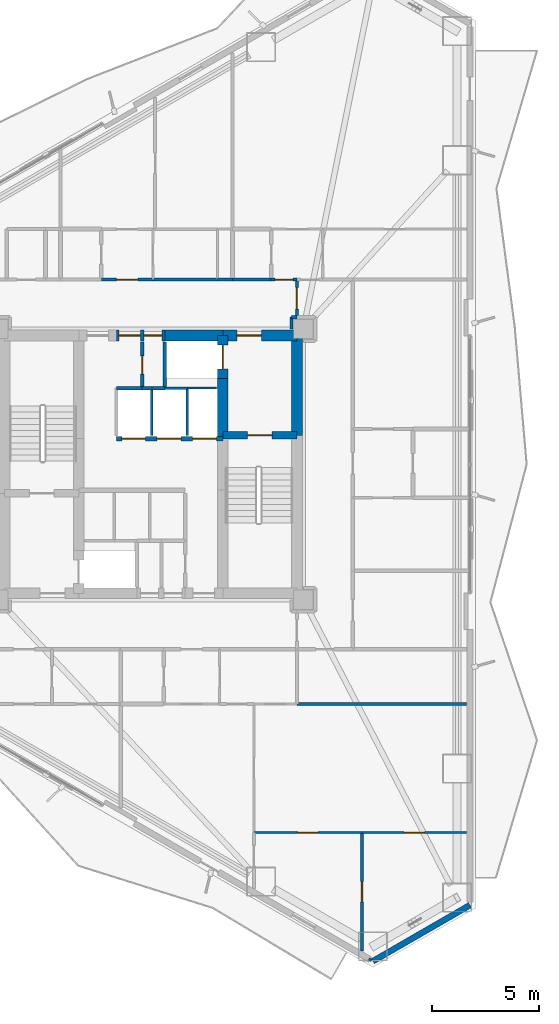
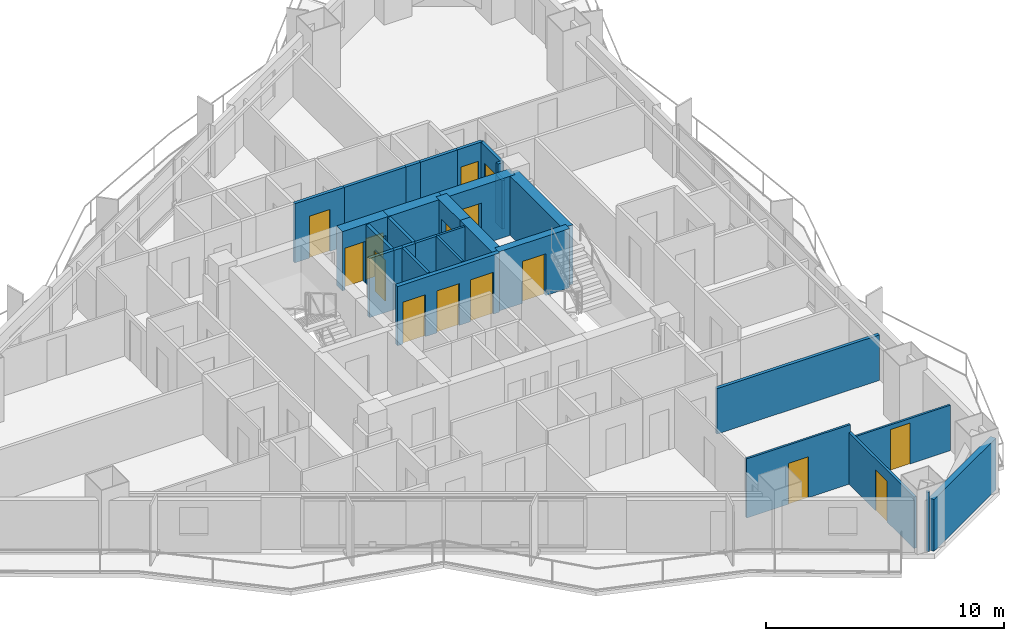
# One storey, part 14 of 18: 31 walls, 15 doors, 15 openings.
"""IFC4 building model written with IfcOpenShell, lengths in metres."""

from ifc_helpers import new_model, si_unit, direction, frame, frame_2d, origin, place, context, subcontext, project, spatial, rectangle, extrude, material, layer, layer_set, type_object, element, fill, save


model = new_model("IFC4")

# Units and contexts
model_context = context("Model", 3, precision=1e-05, world=origin(), true_north=direction((0.0, 1.0)))
body_context = subcontext(model_context, "Body", "Model", "MODEL_VIEW")
ifc_project = project(units=[si_unit("LENGTHUNIT", "METRE"), si_unit("AREAUNIT", "SQUARE_METRE"), si_unit("VOLUMEUNIT", "CUBIC_METRE"), si_unit("PLANEANGLEUNIT", "RADIAN"), si_unit("MASSUNIT", "GRAM", prefix="KILO")], contexts=[model_context])

# Site, building, storey
site_placement = place(None, origin())
site = spatial("IfcSite", under=ifc_project, at=site_placement, CompositionType="ELEMENT")
building_placement = place(site_placement, origin())
building = spatial("IfcBuilding", under=site, at=building_placement, Name="Mersakhor Tower and Convention Hall", CompositionType="ELEMENT")
storey_placement = place(building_placement, frame((0.0, 0.0, 55.5)))
storey = spatial("IfcBuildingStorey", under=building, at=storey_placement, Name="L15", CompositionType="ELEMENT", Elevation=55.5)

# Walls
ifc_material_1 = material(Name="Precast concrete C45/55", Category="concrete")
ifc_layer_1 = layer(ifc_material_1, 0.27490234375)
ifc_layer_set_1 = layer_set([ifc_layer_1], Name="Precast concrete C45/55")
wall_type_1 = type_object("IfcWallType", Name="WL-EXT-275", PredefinedType="SOLIDWALL", material=ifc_layer_set_1)
wall_1_placement = place(storey_placement, frame((43.85009765625, 6.240234375, 0.0), z_axis=(0.0, 0.0, 1.0), x_axis=(-0.866043601342, -0.499968479581, 0.0)))
element("IfcWall", 1, at=wall_1_placement, inside=storey, type_object=wall_type_1, Name="L15 Chamfer Braced Spandrel Wall C2", PredefinedType="SOLIDWALL", context=body_context, shape_type="SweptSolid", body=[
    extrude(rectangle(XDim=5.211181640625, YDim=0.27490234375, at=frame_2d((2.60546875, 0.0))), origin(), (0.0, 0.0, 1.0), 2.659912109375),
])
ifc_material_2 = material(Name="Lightweight gypsum partition", Category="other")
ifc_layer_2 = layer(ifc_material_2, 0.10009765625)
ifc_layer_set_2 = layer_set([ifc_layer_2], Name="Lightweight gypsum partition")
wall_type_2 = type_object("IfcWallType", Name="WL-PRT-100", PredefinedType="PARTITIONING", material=ifc_layer_set_2)
wall_2_placement = place(storey_placement, frame((32.050048828125, 30.300048828125, 0.0), z_axis=(0.0, 0.0, 1.0), x_axis=(-1.0, 0.0, 0.0)))
element("IfcWall", 2, at=wall_2_placement, inside=storey, type_object=wall_type_2, Name="L15 Interior Partition Wall P-004", PredefinedType="PARTITIONING", context=body_context, shape_type="SweptSolid", body=[
    extrude(rectangle(XDim=1.35009765625, YDim=0.10009765625, at=frame_2d((0.675048828125, 0.0))), origin(), (0.0, 0.0, 1.0), 3.0400390625),
])
wall_3_placement = place(storey_placement, frame((30.699951171875, 30.300048828125, 0.0), z_axis=(0.0, 0.0, 1.0), x_axis=(0.0, -1.0, 0.0)))
element("IfcWall", 3, at=wall_3_placement, inside=storey, type_object=wall_type_2, Name="L15 Interior Partition Wall P-018", PredefinedType="PARTITIONING", context=body_context, shape_type="SweptSolid", body=[
    extrude(rectangle(XDim=2.199951171875, YDim=0.10009765625, at=frame_2d((1.10009765625, 0.0))), origin(), (0.0, 0.0, 1.0), 3.0400390625),
])

# Wall, opening, door
wall_4_placement = place(storey_placement, frame((33.800048828125, 9.6201171875, 0.0), z_axis=(0.0, 0.0, 1.0), x_axis=(1.0, 0.0, 0.0)))
wall_4 = element("IfcWall", 4, at=wall_4_placement, inside=storey, type_object=wall_type_2, Name="L15 Interior Partition Wall P-136", PredefinedType="PARTITIONING", context=body_context, shape_type="SweptSolid", body=[
    extrude(rectangle(XDim=5.030029296875, YDim=0.10009765625, at=frame_2d((2.51513671875, 0.0))), origin(), (0.0, 0.0, 1.0), 3.0400390625),
])
opening_1_placement = place(wall_4_placement, frame((2.0400390625, 0.0, 0.0)))
opening_1 = element("IfcOpeningElement", 5, at=opening_1_placement, cuts=wall_4, Name="Opening RD-01", PredefinedType="OPENING", context=body_context, shape_type="SweptSolid", body=[
    extrude(rectangle(XDim=0.949951171875, YDim=2.10009765625, at=frame_2d((0.47509765625, 1.050048828125))), frame((0.0, 0.06005859375, 0.0), z_axis=(0.0, -1.0, 0.0), x_axis=(1.0, 0.0, 0.0)), (0.0, 0.0, 1.0), 0.1201171875),
])
ifc_material_3 = material(Name="Solid-core hardwood leaf in painted steel frame", Category="steel")
door_type_1 = type_object("IfcDoorType", Name="DR-INT-RM-095x210", OperationType="NOTDEFINED", PredefinedType="DOOR", material=ifc_material_3)
door_1_placement = place(opening_1_placement, origin())
door_1 = element("IfcDoor", 6, at=door_1_placement, inside=storey, type_object=door_type_1, Name="L15 L15 Flat S5 Bedroom 1 to L15 Flat S5 Dining Room Door", OperationType="SINGLE_SWING_RIGHT", OverallHeight=2.10009765625, OverallWidth=0.949951171875, PredefinedType="DOOR", context=body_context, shape_type="SweptSolid", body=[
    extrude(rectangle(XDim=0.949951171875, YDim=2.10009765625, at=frame_2d((0.47509765625, 1.050048828125))), frame((0.0, 0.02490234375, 0.0), z_axis=(0.0, -1.0, 0.0), x_axis=(1.0, 0.0, 0.0)), (0.0, 0.0, 1.0), 0.050048828125),
])
fill(opening_1, door_1)

wall_5_placement = place(storey_placement, frame((38.830078125, 9.6201171875, 0.0), z_axis=(0.0, 0.0, 1.0), x_axis=(1.0, 0.0, 0.0)))
wall_5 = element("IfcWall", 7, at=wall_5_placement, inside=storey, type_object=wall_type_2, Name="L15 Interior Partition Wall P-138", PredefinedType="PARTITIONING", context=body_context, shape_type="SweptSolid", body=[
    extrude(rectangle(XDim=4.8583984375, YDim=0.10009765625, at=frame_2d((2.42919921875, 0.0))), origin(), (0.0, 0.0, 1.0), 2.33740234375),
])
opening_2_placement = place(wall_5_placement, frame((1.9541015625, 0.0, 0.0)))
opening_2 = element("IfcOpeningElement", 8, at=opening_2_placement, cuts=wall_5, Name="Opening RD-01", PredefinedType="OPENING", context=body_context, shape_type="SweptSolid", body=[
    extrude(rectangle(XDim=0.949951171875, YDim=2.10009765625, at=frame_2d((0.47509765625, 1.050048828125))), frame((0.0, 0.06005859375, 0.0), z_axis=(0.0, -1.0, 0.0), x_axis=(1.0, 0.0, 0.0)), (0.0, 0.0, 1.0), 0.1201171875),
])
door_2_placement = place(opening_2_placement, origin())
door_2 = element("IfcDoor", 9, at=door_2_placement, inside=storey, type_object=door_type_1, Name="L15 L15 Flat S5 Study Room to L15 Flat S5 Dining Room Door", OperationType="SINGLE_SWING_LEFT", OverallHeight=2.10009765625, OverallWidth=0.949951171875, PredefinedType="DOOR", context=body_context, shape_type="SweptSolid", body=[
    extrude(rectangle(XDim=0.949951171875, YDim=2.10009765625, at=frame_2d((0.47509765625, 1.050048828125))), frame((0.0, 0.02490234375, 0.0), z_axis=(0.0, -1.0, 0.0), x_axis=(1.0, 0.0, 0.0)), (0.0, 0.0, 1.0), 0.050048828125),
])
fill(opening_2, door_2)

# Walls
ifc_material_4 = material(Name="Gypsum board acoustic partition", Category="other")
ifc_layer_3 = layer(ifc_material_4, 0.125)
ifc_layer_set_3 = layer_set([ifc_layer_3], Name="Gypsum board acoustic partition")
wall_type_3 = type_object("IfcWallType", Name="WL-PRT-125", PredefinedType="PARTITIONING", material=ifc_layer_set_3)
wall_6_placement = place(storey_placement, frame((30.699951171875, 30.300048828125, 0.0), z_axis=(0.0, 0.0, 1.0), x_axis=(-1.0, 0.0, 0.0)))
element("IfcWall", 10, at=wall_6_placement, inside=storey, type_object=wall_type_3, Name="L15 Interior Partition Wall P-005", PredefinedType="PARTITIONING", context=body_context, shape_type="SweptSolid", body=[
    extrude(rectangle(XDim=1.050048828125, YDim=0.125, at=frame_2d((0.52490234375, 0.0))), origin(), (0.0, 0.0, 1.0), 3.0400390625),
])
wall_7_placement = place(storey_placement, frame((29.050048828125, 30.300048828125, 0.0), z_axis=(0.0, 0.0, 1.0), x_axis=(0.0, -1.0, 0.0)))
element("IfcWall", 11, at=wall_7_placement, inside=storey, type_object=wall_type_3, Name="L15 Interior Partition Wall P-015", PredefinedType="PARTITIONING", context=body_context, shape_type="SweptSolid", body=[
    extrude(rectangle(XDim=2.199951171875, YDim=0.125, at=frame_2d((1.10009765625, 0.0))), origin(), (0.0, 0.0, 1.0), 3.0400390625),
])

# Wall, opening, door
wall_8_placement = place(storey_placement, frame((38.830078125, 9.6201171875, 0.0), z_axis=(0.0, 0.0, 1.0), x_axis=(0.0, -1.0, 0.0)))
wall_8 = element("IfcWall", 12, at=wall_8_placement, inside=storey, type_object=wall_type_3, Name="L15 Interior Partition Wall P-137", PredefinedType="PARTITIONING", context=body_context, shape_type="SweptSolid", body=[
    extrude(rectangle(XDim=5.50634765625, YDim=0.125, at=frame_2d((2.753173828125, 0.0))), origin(), (0.0, 0.0, 1.0), 2.650390625),
])
opening_3_placement = place(wall_8_placement, frame((2.278076171875, 0.0, 0.0)))
opening_3 = element("IfcOpeningElement", 13, at=opening_3_placement, cuts=wall_8, Name="Opening RD-01", PredefinedType="OPENING", context=body_context, shape_type="SweptSolid", body=[
    extrude(rectangle(XDim=0.949951171875, YDim=2.10009765625, at=frame_2d((0.47509765625, 1.050048828125))), frame((0.0, 0.072509765625, 0.0), z_axis=(0.0, -1.0, 0.0), x_axis=(1.0, 0.0, 0.0)), (0.0, 0.0, 1.0), 0.14501953125),
])
door_3_placement = place(opening_3_placement, origin())
door_3 = element("IfcDoor", 14, at=door_3_placement, inside=storey, type_object=door_type_1, Name="L15 L15 Flat S5 Bedroom 1 to L15 Flat S5 Study Room Door", OperationType="SINGLE_SWING_LEFT", OverallHeight=2.10009765625, OverallWidth=0.949951171875, PredefinedType="DOOR", context=body_context, shape_type="SweptSolid", body=[
    extrude(rectangle(XDim=0.949951171875, YDim=2.10009765625, at=frame_2d((0.47509765625, 1.050048828125))), frame((0.0, 0.02490234375, 0.0), z_axis=(0.0, -1.0, 0.0), x_axis=(1.0, 0.0, 0.0)), (0.0, 0.0, 1.0), 0.050048828125),
])
fill(opening_3, door_3)

# Walls
wall_9_placement = place(storey_placement, frame((39.2724609375, 3.672119140625, 0.0), z_axis=(0.0, 0.0, 1.0), x_axis=(-0.866442544969, 0.49927679324, 0.0)))
element("IfcWall", 15, at=wall_9_placement, inside=storey, type_object=wall_type_3, Name="L15 Interior Partition Wall P-139", PredefinedType="PARTITIONING", context=body_context, shape_type="SweptSolid", body=[
    extrude(rectangle(XDim=0.142333984375, YDim=0.125, at=frame_2d((0.0712890625, 0.0))), origin(), (0.0, 0.0, 1.0), 3.0400390625),
])
ifc_material_5 = material(Name="Fire-rated gypsum board stud partition", Category="other")
ifc_layer_4 = layer(ifc_material_5, 0.14990234375)
ifc_layer_set_4 = layer_set([ifc_layer_4], Name="Fire-rated gypsum board stud partition")
wall_type_4 = type_object("IfcWallType", Name="WL-PRT-150", PredefinedType="PARTITIONING", material=ifc_layer_set_4)
wall_10_placement = place(storey_placement, frame((29.64990234375, 30.300048828125, 0.0), z_axis=(0.0, 0.0, 1.0), x_axis=(0.0, 1.0, 0.0)))
element("IfcWall", 16, at=wall_10_placement, inside=storey, type_object=wall_type_4, Name="L15 Interior Partition Wall P-006", PredefinedType="PARTITIONING", context=body_context, shape_type="SweptSolid", body=[
    extrude(rectangle(XDim=2.14990234375, YDim=0.14990234375, at=frame_2d((1.074951171875, 0.0))), origin(), (0.0, 0.0, 1.0), 3.0400390625),
])
wall_11_placement = place(storey_placement, frame((27.39990234375, 30.300048828125, 0.0), z_axis=(0.0, 0.0, 1.0), x_axis=(1.0, 0.0, 0.0)))
element("IfcWall", 17, at=wall_11_placement, inside=storey, type_object=wall_type_4, Name="L15 Interior Partition Wall P-013", PredefinedType="PARTITIONING", context=body_context, shape_type="SweptSolid", body=[
    extrude(rectangle(XDim=1.2001953125, YDim=0.14990234375, at=frame_2d((0.60009765625, 0.0))), origin(), (0.0, 0.0, 1.0), 3.0400390625),
])
wall_12_placement = place(storey_placement, frame((28.60009765625, 30.300048828125, 0.0), z_axis=(0.0, 0.0, 1.0), x_axis=(1.0, 0.0, 0.0)))
element("IfcWall", 18, at=wall_12_placement, inside=storey, type_object=wall_type_4, Name="L15 Interior Partition Wall P-014", PredefinedType="PARTITIONING", context=body_context, shape_type="SweptSolid", body=[
    extrude(rectangle(XDim=0.449951171875, YDim=0.14990234375, at=frame_2d((0.22509765625, 0.0))), origin(), (0.0, 0.0, 1.0), 3.0400390625),
])
wall_13_placement = place(storey_placement, frame((29.050048828125, 30.300048828125, 0.0), z_axis=(0.0, 0.0, 1.0), x_axis=(1.0, 0.0, 0.0)))
element("IfcWall", 19, at=wall_13_placement, inside=storey, type_object=wall_type_4, Name="L15 Interior Partition Wall P-017", PredefinedType="PARTITIONING", context=body_context, shape_type="SweptSolid", body=[
    extrude(rectangle(XDim=0.599853515625, YDim=0.14990234375, at=frame_2d((0.2998046875, 0.0))), origin(), (0.0, 0.0, 1.0), 3.0400390625),
])

# Wall, opening, door
wall_14_placement = place(storey_placement, frame((28.60009765625, 32.449951171875, 0.0), z_axis=(0.0, 0.0, 1.0), x_axis=(0.0, -1.0, 0.0)))
wall_14 = element("IfcWall", 20, at=wall_14_placement, inside=storey, type_object=wall_type_4, Name="L15 Interior Partition Wall P-020", PredefinedType="PARTITIONING", context=body_context, shape_type="SweptSolid", body=[
    extrude(rectangle(XDim=2.14990234375, YDim=0.14990234375, at=frame_2d((1.074951171875, 0.0))), origin(), (0.0, 0.0, 1.0), 3.0400390625),
])
opening_4_placement = place(wall_14_placement, frame((0.64990234375, 0.0, 0.0)))
opening_4 = element("IfcOpeningElement", 21, at=opening_4_placement, cuts=wall_14, Name="Opening SVD-01", PredefinedType="OPENING", context=body_context, shape_type="SweptSolid", body=[
    extrude(rectangle(XDim=0.85009765625, YDim=2.10009765625, at=frame_2d((0.425048828125, 1.050048828125))), frame((0.0, 0.0849609375, 0.0), z_axis=(0.0, -1.0, 0.0), x_axis=(1.0, 0.0, 0.0)), (0.0, 0.0, 1.0), 0.169921875),
])
ifc_material_6 = material(Name="Fire-rated hardwood leaf and painted steel frame", Category="steel")
door_type_2 = type_object("IfcDoorType", Name="DR-INT-SVC-085x210", OperationType="NOTDEFINED", PredefinedType="DOOR", material=ifc_material_6)
door_4_placement = place(opening_4_placement, origin())
door_4 = element("IfcDoor", 22, at=door_4_placement, inside=storey, type_object=door_type_2, Name="L15 Central Passenger Lift Lobby to Cleaner Store Room Door", OperationType="SINGLE_SWING_RIGHT", OverallHeight=2.10009765625, OverallWidth=0.85009765625, PredefinedType="DOOR", context=body_context, shape_type="SweptSolid", body=[
    extrude(rectangle(XDim=0.85009765625, YDim=2.10009765625, at=frame_2d((0.425048828125, 1.050048828125))), frame((0.0, 0.02490234375, 0.0), z_axis=(0.0, -1.0, 0.0), x_axis=(1.0, 0.0, 0.0)), (0.0, 0.0, 1.0), 0.050048828125),
])
fill(opening_4, door_4)

wall_15_placement = place(storey_placement, frame((26.699951171875, 35.35009765625, 0.0), z_axis=(0.0, 0.0, 1.0), x_axis=(1.0, 0.0, 0.0)))
wall_15 = element("IfcWall", 23, at=wall_15_placement, inside=storey, type_object=wall_type_4, Name="L15 Interior Partition Wall P-044", PredefinedType="PARTITIONING", context=body_context, shape_type="SweptSolid", body=[
    extrude(rectangle(XDim=2.400146484375, YDim=0.14990234375, at=frame_2d((1.2001953125, 0.0))), origin(), (0.0, 0.0, 1.0), 3.0400390625),
])
opening_5_placement = place(wall_15_placement, frame((0.699951171875, 0.0, 0.0)))
opening_5 = element("IfcOpeningElement", 24, at=opening_5_placement, cuts=wall_15, Name="Opening FD-01", PredefinedType="OPENING", context=body_context, shape_type="SweptSolid", body=[
    extrude(rectangle(XDim=1.0, YDim=2.14990234375, at=frame_2d((0.5, 1.074951171875))), frame((0.0, 0.0849609375, 0.0), z_axis=(0.0, -1.0, 0.0), x_axis=(1.0, 0.0, 0.0)), (0.0, 0.0, 1.0), 0.169921875),
])
ifc_material_7 = material(Name="Fire-rated hardwood leaf and painted steel frame", Category="steel")
door_type_3 = type_object("IfcDoorType", Name="DR-INT-FLT-100x215", OperationType="NOTDEFINED", PredefinedType="DOOR", material=ifc_material_7)
door_5_placement = place(opening_5_placement, origin())
door_5 = element("IfcDoor", 25, at=door_5_placement, inside=storey, type_object=door_type_3, Name="L15 Apartment Entrance Door (Residential Ring Corridor to L15 Flat N2 Apartment Hall)", OperationType="SINGLE_SWING_LEFT", OverallHeight=2.14990234375, OverallWidth=1.0, PredefinedType="DOOR", context=body_context, shape_type="SweptSolid", body=[
    extrude(rectangle(XDim=1.0, YDim=2.14990234375, at=frame_2d((0.5, 1.074951171875))), frame((0.0, 0.02490234375, 0.0), z_axis=(0.0, -1.0, 0.0), x_axis=(1.0, 0.0, 0.0)), (0.0, 0.0, 1.0), 0.050048828125),
])
fill(opening_5, door_5)

# Walls
wall_16_placement = place(storey_placement, frame((29.10009765625, 35.35009765625, 0.0), z_axis=(0.0, 0.0, 1.0), x_axis=(1.0, 0.0, 0.0)))
element("IfcWall", 26, at=wall_16_placement, inside=storey, type_object=wall_type_4, Name="L15 Interior Partition Wall P-045", PredefinedType="PARTITIONING", context=body_context, shape_type="SweptSolid", body=[
    extrude(rectangle(XDim=3.0, YDim=0.14990234375, at=frame_2d((1.5, 0.0))), origin(), (0.0, 0.0, 1.0), 3.0400390625),
])
wall_17_placement = place(storey_placement, frame((32.10009765625, 35.35009765625, 0.0), z_axis=(0.0, 0.0, 1.0), x_axis=(1.0, 0.0, 0.0)))
element("IfcWall", 27, at=wall_17_placement, inside=storey, type_object=wall_type_4, Name="L15 Interior Partition Wall P-046", PredefinedType="PARTITIONING", context=body_context, shape_type="SweptSolid", body=[
    extrude(rectangle(XDim=0.699951171875, YDim=0.14990234375, at=frame_2d((0.35009765625, 0.0))), origin(), (0.0, 0.0, 1.0), 3.0400390625),
])
wall_18_placement = place(storey_placement, frame((32.800048828125, 35.35009765625, 0.0), z_axis=(0.0, 0.0, 1.0), x_axis=(1.0, 0.0, 0.0)))
element("IfcWall", 28, at=wall_18_placement, inside=storey, type_object=wall_type_4, Name="L15 Interior Partition Wall P-047", PredefinedType="PARTITIONING", context=body_context, shape_type="SweptSolid", body=[
    extrude(rectangle(XDim=1.800048828125, YDim=0.14990234375, at=frame_2d((0.89990234375, 0.0))), origin(), (0.0, 0.0, 1.0), 3.0400390625),
])

# Wall, opening, door
wall_19_placement = place(storey_placement, frame((34.60009765625, 35.35009765625, 0.0), z_axis=(0.0, 0.0, 1.0), x_axis=(1.0, 0.0, 0.0)))
wall_19 = element("IfcWall", 29, at=wall_19_placement, inside=storey, type_object=wall_type_4, Name="L15 Interior Partition Wall P-048", PredefinedType="PARTITIONING", context=body_context, shape_type="SweptSolid", body=[
    extrude(rectangle(XDim=1.199951171875, YDim=0.14990234375, at=frame_2d((0.60009765625, 0.0))), origin(), (0.0, 0.0, 1.0), 3.0400390625),
])
opening_6_placement = place(wall_19_placement, frame((0.175048828125, 0.0, 0.0)))
opening_6 = element("IfcOpeningElement", 30, at=opening_6_placement, cuts=wall_19, Name="Opening SVD-01", PredefinedType="OPENING", context=body_context, shape_type="SweptSolid", body=[
    extrude(rectangle(XDim=0.85009765625, YDim=2.10009765625, at=frame_2d((0.425048828125, 1.050048828125))), frame((0.0, 0.0849609375, 0.0), z_axis=(0.0, -1.0, 0.0), x_axis=(1.0, 0.0, 0.0)), (0.0, 0.0, 1.0), 0.169921875),
])
door_6_placement = place(opening_6_placement, origin())
door_6 = element("IfcDoor", 31, at=door_6_placement, inside=storey, type_object=door_type_2, Name="L15 Apartment Entrance Door (Residential Ring Corridor to L15 Flat N3 Apartment Hall)", OperationType="SINGLE_SWING_RIGHT", OverallHeight=2.10009765625, OverallWidth=0.85009765625, PredefinedType="DOOR", context=body_context, shape_type="SweptSolid", body=[
    extrude(rectangle(XDim=0.85009765625, YDim=2.10009765625, at=frame_2d((0.425048828125, 1.050048828125))), frame((0.0, 0.02490234375, 0.0), z_axis=(0.0, -1.0, 0.0), x_axis=(1.0, 0.0, 0.0)), (0.0, 0.0, 1.0), 0.050048828125),
])
fill(opening_6, door_6)

wall_20_placement = place(storey_placement, frame((35.800048828125, 35.35009765625, 0.0), z_axis=(0.0, 0.0, 1.0), x_axis=(0.0, -1.0, 0.0)))
wall_20 = element("IfcWall", 32, at=wall_20_placement, inside=storey, type_object=wall_type_4, Name="L15 Interior Partition Wall P-049", PredefinedType="PARTITIONING", context=body_context, shape_type="SweptSolid", body=[
    extrude(rectangle(XDim=1.75, YDim=0.14990234375, at=frame_2d((0.875, 0.0))), origin(), (0.0, 0.0, 1.0), 3.0400390625),
])
opening_7_placement = place(wall_20_placement, frame((0.375, 0.0, 0.0)))
opening_7 = element("IfcOpeningElement", 33, at=opening_7_placement, cuts=wall_20, Name="Opening FD-01", PredefinedType="OPENING", context=body_context, shape_type="SweptSolid", body=[
    extrude(rectangle(XDim=1.0, YDim=2.14990234375, at=frame_2d((0.5, 1.074951171875))), frame((0.0, 0.0849609375, 0.0), z_axis=(0.0, -1.0, 0.0), x_axis=(1.0, 0.0, 0.0)), (0.0, 0.0, 1.0), 0.169921875),
])
door_7_placement = place(opening_7_placement, origin())
door_7 = element("IfcDoor", 34, at=door_7_placement, inside=storey, type_object=door_type_3, Name="L15 Ring Corridor Fire Door", OperationType="SINGLE_SWING_RIGHT", OverallHeight=2.14990234375, OverallWidth=1.0, PredefinedType="DOOR", context=body_context, shape_type="SweptSolid", body=[
    extrude(rectangle(XDim=1.0, YDim=2.14990234375, at=frame_2d((0.5, 1.074951171875))), frame((0.0, 0.02490234375, 0.0), z_axis=(0.0, -1.0, 0.0), x_axis=(1.0, 0.0, 0.0)), (0.0, 0.0, 1.0), 0.050048828125),
])
fill(opening_7, door_7)

# Walls
wall_21_placement = place(storey_placement, frame((35.800048828125, 33.60009765625, 0.0), z_axis=(0.0, 0.0, 1.0), x_axis=(-1.0, 0.0, 0.0)))
element("IfcWall", 35, at=wall_21_placement, inside=storey, type_object=wall_type_4, Name="L15 Interior Partition Wall P-050", PredefinedType="PARTITIONING", context=body_context, shape_type="SweptSolid", body=[
    extrude(rectangle(XDim=0.25, YDim=0.14990234375, at=frame_2d((0.125, 0.0))), origin(), (0.0, 0.0, 1.0), 3.0400390625),
])
wall_22_placement = place(storey_placement, frame((35.550048828125, 33.60009765625, 0.0), z_axis=(0.0, 0.0, 1.0), x_axis=(0.0, -1.0, 0.0)))
element("IfcWall", 36, at=wall_22_placement, inside=storey, type_object=wall_type_4, Name="L15 Interior Partition Wall P-051", PredefinedType="PARTITIONING", context=body_context, shape_type="SweptSolid", body=[
    extrude(rectangle(XDim=0.550048828125, YDim=0.14990234375, at=frame_2d((0.27490234375, 0.0))), origin(), (0.0, 0.0, 1.0), 2.48828125),
])
wall_23_placement = place(storey_placement, frame((43.6884765625, 15.60009765625, 0.0), z_axis=(0.0, 0.0, 1.0), x_axis=(-1.0, 0.0, 0.0)))
element("IfcWall", 37, at=wall_23_placement, inside=storey, type_object=wall_type_4, Name="L15 Interior Partition Wall P-125", PredefinedType="PARTITIONING", context=body_context, shape_type="SweptSolid", body=[
    extrude(rectangle(XDim=7.888427734375, YDim=0.14990234375, at=frame_2d((3.9443359375, 0.0))), origin(), (0.0, 0.0, 1.0), 2.33740234375),
])

# Wall, openings, doors
ifc_material_8 = material(Name="Acoustic concrete blockwork and gypsum board", Category="masonry")
ifc_layer_5 = layer(ifc_material_8, 0.199951171875)
ifc_layer_set_5 = layer_set([ifc_layer_5], Name="Acoustic concrete blockwork and gypsum board")
wall_type_5 = type_object("IfcWallType", Name="WL-PRT-200", PredefinedType="PARTITIONING", material=ifc_layer_set_5)
wall_24_placement = place(storey_placement, frame((27.39990234375, 27.949951171875, 0.0), z_axis=(0.0, 0.0, 1.0), x_axis=(1.0, 0.0, 0.0)))
wall_24 = element("IfcWall", 38, at=wall_24_placement, inside=storey, type_object=wall_type_5, Name="L15 Low-Rise Lift Bank Front Wall", PredefinedType="PARTITIONING", context=body_context, shape_type="SweptSolid", body=[
    extrude(rectangle(XDim=4.9501953125, YDim=0.199951171875, at=frame_2d((2.47509765625, 0.0))), origin(), (0.0, 0.0, 1.0), 3.0400390625),
])
opening_8_placement = place(wall_24_placement, frame((0.25, 0.0, 0.0)))
opening_8 = element("IfcOpeningElement", 39, at=opening_8_placement, cuts=wall_24, Name="Opening LD-P1", PredefinedType="OPENING", context=body_context, shape_type="SweptSolid", body=[
    extrude(rectangle(XDim=1.10009765625, YDim=2.14990234375, at=frame_2d((0.550048828125, 1.074951171875))), frame((0.0, 0.10986328125, 0.0), z_axis=(0.0, -1.0, 0.0), x_axis=(1.0, 0.0, 0.0)), (0.0, 0.0, 1.0), 0.219970703125),
])
opening_9_placement = place(wall_24_placement, frame((1.89990234375, 0.0, 0.0)))
opening_9 = element("IfcOpeningElement", 40, at=opening_9_placement, cuts=wall_24, Name="Opening LD-P2", PredefinedType="OPENING", context=body_context, shape_type="SweptSolid", body=[
    extrude(rectangle(XDim=1.10009765625, YDim=2.14990234375, at=frame_2d((0.550048828125, 1.074951171875))), frame((0.0, 0.10986328125, 0.0), z_axis=(0.0, -1.0, 0.0), x_axis=(1.0, 0.0, 0.0)), (0.0, 0.0, 1.0), 0.219970703125),
])
opening_10_placement = place(wall_24_placement, frame((3.550048828125, 0.0, 0.0)))
opening_10 = element("IfcOpeningElement", 41, at=opening_10_placement, cuts=wall_24, Name="Opening LD-P3", PredefinedType="OPENING", context=body_context, shape_type="SweptSolid", body=[
    extrude(rectangle(XDim=1.10009765625, YDim=2.14990234375, at=frame_2d((0.550048828125, 1.074951171875))), frame((0.0, 0.10986328125, 0.0), z_axis=(0.0, -1.0, 0.0), x_axis=(1.0, 0.0, 0.0)), (0.0, 0.0, 1.0), 0.219970703125),
])
ifc_material_9 = material(Name="Fire-rated brushed stainless steel sliding landing door", Category="steel")
door_type_4 = type_object("IfcDoorType", Name="DR-LIFT-SLD-110x215", OperationType="NOTDEFINED", PredefinedType="DOOR", material=ifc_material_9)
door_8_placement = place(opening_8_placement, origin())
door_8 = element("IfcDoor", 42, at=door_8_placement, inside=storey, type_object=door_type_4, Name="L15 Lift Landing Door LD-P1", OperationType="SLIDING_TO_LEFT", OverallHeight=2.14990234375, OverallWidth=1.10009765625, PredefinedType="DOOR", context=body_context, shape_type="SweptSolid", body=[
    extrude(rectangle(XDim=1.10009765625, YDim=2.14990234375, at=frame_2d((0.550048828125, 1.074951171875))), frame((0.0, 0.02490234375, 0.0), z_axis=(0.0, -1.0, 0.0), x_axis=(1.0, 0.0, 0.0)), (0.0, 0.0, 1.0), 0.050048828125),
])
fill(opening_8, door_8)
door_9_placement = place(opening_9_placement, origin())
door_9 = element("IfcDoor", 43, at=door_9_placement, inside=storey, type_object=door_type_4, Name="L15 Lift Landing Door LD-P2", OperationType="SLIDING_TO_LEFT", OverallHeight=2.14990234375, OverallWidth=1.10009765625, PredefinedType="DOOR", context=body_context, shape_type="SweptSolid", body=[
    extrude(rectangle(XDim=1.10009765625, YDim=2.14990234375, at=frame_2d((0.550048828125, 1.074951171875))), frame((0.0, 0.02490234375, 0.0), z_axis=(0.0, -1.0, 0.0), x_axis=(1.0, 0.0, 0.0)), (0.0, 0.0, 1.0), 0.050048828125),
])
fill(opening_9, door_9)
door_10_placement = place(opening_10_placement, origin())
door_10 = element("IfcDoor", 44, at=door_10_placement, inside=storey, type_object=door_type_4, Name="L15 Lift Landing Door LD-P3", OperationType="SLIDING_TO_LEFT", OverallHeight=2.14990234375, OverallWidth=1.10009765625, PredefinedType="DOOR", context=body_context, shape_type="SweptSolid", body=[
    extrude(rectangle(XDim=1.10009765625, YDim=2.14990234375, at=frame_2d((0.550048828125, 1.074951171875))), frame((0.0, 0.02490234375, 0.0), z_axis=(0.0, -1.0, 0.0), x_axis=(1.0, 0.0, 0.0)), (0.0, 0.0, 1.0), 0.050048828125),
])
fill(opening_10, door_10)

# Wall, opening, door
ifc_material_10 = material(Name="Concrete C50/60", Category="concrete")
ifc_layer_6 = layer(ifc_material_10, 0.35009765625)
ifc_layer_set_6 = layer_set([ifc_layer_6], Name="Concrete C50/60")
wall_type_6 = type_object("IfcWallType", Name="WL-SHR-350", PredefinedType="SHEAR", material=ifc_layer_set_6)
wall_25_placement = place(storey_placement, frame((32.35009765625, 28.10009765625, 0.0), z_axis=(0.0, 0.0, 1.0), x_axis=(1.0, 0.0, 0.0)))
wall_25 = element("IfcWall", 45, at=wall_25_placement, inside=storey, type_object=wall_type_6, Name="L15 Core Wall CS-ST2-N", PredefinedType="SHEAR", context=body_context, shape_type="SweptSolid", body=[
    extrude(rectangle(XDim=3.449951171875, YDim=0.35009765625, at=frame_2d((1.72509765625, 0.0))), origin(), (0.0, 0.0, 1.0), 3.0400390625),
])
opening_11_placement = place(wall_25_placement, frame((1.14990234375, 0.0, 0.0)))
opening_11 = element("IfcOpeningElement", 46, at=opening_11_placement, cuts=wall_25, Name="Opening SD-01", PredefinedType="OPENING", context=body_context, shape_type="SweptSolid", body=[
    extrude(rectangle(XDim=1.14990234375, YDim=2.14990234375, at=frame_2d((0.574951171875, 1.074951171875))), frame((0.0, 0.18505859375, 0.0), z_axis=(0.0, -1.0, 0.0), x_axis=(1.0, 0.0, 0.0)), (0.0, 0.0, 1.0), 0.3701171875),
])
ifc_material_11 = material(Name="Fire-rated hardwood leaf and painted steel frame", Category="steel")
door_type_5 = type_object("IfcDoorType", Name="DR-INT-STAIR-115x215", OperationType="NOTDEFINED", PredefinedType="DOOR", material=ifc_material_11)
door_11_placement = place(opening_11_placement, origin())
door_11 = element("IfcDoor", 47, at=door_11_placement, inside=storey, type_object=door_type_5, Name="L15 Exit Stair ST-2 Enclosure Door", OperationType="SINGLE_SWING_RIGHT", OverallHeight=2.14990234375, OverallWidth=1.14990234375, PredefinedType="DOOR", context=body_context, shape_type="SweptSolid", body=[
    extrude(rectangle(XDim=1.14990234375, YDim=2.14990234375, at=frame_2d((0.574951171875, 1.074951171875))), frame((0.0, 0.02490234375, 0.0), z_axis=(0.0, -1.0, 0.0), x_axis=(1.0, 0.0, 0.0)), (0.0, 0.0, 1.0), 0.050048828125),
])
fill(opening_11, door_11)

# Wall, openings, doors
ifc_material_12 = material(Name="Concrete C70/85", Category="concrete")
ifc_layer_7 = layer(ifc_material_12, 0.5)
ifc_layer_set_7 = layer_set([ifc_layer_7], Name="Concrete C70/85")
wall_type_7 = type_object("IfcWallType", Name="WL-SHR-500", PredefinedType="SHEAR", material=ifc_layer_set_7)
wall_26_placement = place(storey_placement, frame((27.39990234375, 32.75, 0.0), z_axis=(0.0, 0.0, 1.0), x_axis=(1.0, 0.0, 0.0)))
wall_26 = element("IfcWall", 48, at=wall_26_placement, inside=storey, type_object=wall_type_7, Name="L15 Core Wall CW-N2B", PredefinedType="SHEAR", context=body_context, shape_type="SweptSolid", body=[
    extrude(rectangle(XDim=2.25, YDim=0.5, at=frame_2d((1.125, 0.0))), origin(), (0.0, 0.0, 1.0), 3.0400390625),
])
opening_12_placement = place(wall_26_placement, frame((0.1201171875, 0.0, 0.0)))
opening_12 = element("IfcOpeningElement", 49, at=opening_12_placement, cuts=wall_26, Name="Opening FD-01", PredefinedType="OPENING", context=body_context, shape_type="SweptSolid", body=[
    extrude(rectangle(XDim=1.0, YDim=2.14990234375, at=frame_2d((0.5, 1.074951171875))), frame((0.0, 0.260009765625, 0.0), z_axis=(0.0, -1.0, 0.0), x_axis=(1.0, 0.0, 0.0)), (0.0, 0.0, 1.0), 0.52001953125),
])
opening_13_placement = place(wall_26_placement, frame((1.280029296875, 0.0, 0.0)))
opening_13 = element("IfcOpeningElement", 50, at=opening_13_placement, cuts=wall_26, Name="Opening SVD-01", PredefinedType="OPENING", context=body_context, shape_type="SweptSolid", body=[
    extrude(rectangle(XDim=0.85009765625, YDim=2.10009765625, at=frame_2d((0.425048828125, 1.050048828125))), frame((0.0, 0.260009765625, 0.0), z_axis=(0.0, -1.0, 0.0), x_axis=(1.0, 0.0, 0.0)), (0.0, 0.0, 1.0), 0.52001953125),
])
door_12_placement = place(opening_12_placement, origin())
door_12 = element("IfcDoor", 51, at=door_12_placement, inside=storey, type_object=door_type_3, Name="L15 Central Passenger Lift Lobby to Residential Ring Corridor Door", OperationType="SINGLE_SWING_RIGHT", OverallHeight=2.14990234375, OverallWidth=1.0, PredefinedType="DOOR", context=body_context, shape_type="SweptSolid", body=[
    extrude(rectangle(XDim=1.0, YDim=2.14990234375, at=frame_2d((0.5, 1.074951171875))), frame((0.0, 0.02490234375, 0.0), z_axis=(0.0, -1.0, 0.0), x_axis=(1.0, 0.0, 0.0)), (0.0, 0.0, 1.0), 0.050048828125),
])
fill(opening_12, door_12)
door_13_placement = place(opening_13_placement, origin())
door_13 = element("IfcDoor", 52, at=door_13_placement, inside=storey, type_object=door_type_2, Name="L15 Residential Ring Corridor to Cleaner Store Room Door", OperationType="SINGLE_SWING_RIGHT", OverallHeight=2.10009765625, OverallWidth=0.85009765625, PredefinedType="DOOR", context=body_context, shape_type="SweptSolid", body=[
    extrude(rectangle(XDim=0.85009765625, YDim=2.10009765625, at=frame_2d((0.425048828125, 1.050048828125))), frame((0.0, 0.02490234375, 0.0), z_axis=(0.0, -1.0, 0.0), x_axis=(1.0, 0.0, 0.0)), (0.0, 0.0, 1.0), 0.050048828125),
])
fill(opening_13, door_13)

# Wall
wall_27_placement = place(storey_placement, frame((29.64990234375, 32.75, 0.0), z_axis=(0.0, 0.0, 1.0), x_axis=(1.0, 0.0, 0.0)))
element("IfcWall", 53, at=wall_27_placement, inside=storey, type_object=wall_type_7, Name="L15 Core Wall CW-N3", PredefinedType="SHEAR", context=body_context, shape_type="SweptSolid", body=[
    extrude(rectangle(XDim=2.7001953125, YDim=0.5, at=frame_2d((1.35009765625, 0.0))), origin(), (0.0, 0.0, 1.0), 3.0400390625),
])

# Wall, opening, door
wall_28_placement = place(storey_placement, frame((32.35009765625, 32.75, 0.0), z_axis=(0.0, 0.0, 1.0), x_axis=(1.0, 0.0, 0.0)))
wall_28 = element("IfcWall", 54, at=wall_28_placement, inside=storey, type_object=wall_type_7, Name="L15 Core Wall CW-N4", PredefinedType="SHEAR", context=body_context, shape_type="SweptSolid", body=[
    extrude(rectangle(XDim=3.449951171875, YDim=0.5, at=frame_2d((1.72509765625, 0.0))), origin(), (0.0, 0.0, 1.0), 3.0400390625),
])
opening_14_placement = place(wall_28_placement, frame((0.64990234375, 0.0, 0.0)))
opening_14 = element("IfcOpeningElement", 55, at=opening_14_placement, cuts=wall_28, Name="Opening SD-01", PredefinedType="OPENING", context=body_context, shape_type="SweptSolid", body=[
    extrude(rectangle(XDim=1.14990234375, YDim=2.14990234375, at=frame_2d((0.574951171875, 1.074951171875))), frame((0.0, 0.260009765625, 0.0), z_axis=(0.0, -1.0, 0.0), x_axis=(1.0, 0.0, 0.0)), (0.0, 0.0, 1.0), 0.52001953125),
])
door_14_placement = place(opening_14_placement, origin())
door_14 = element("IfcDoor", 56, at=door_14_placement, inside=storey, type_object=door_type_5, Name="L15 Firefighting Lobby East Fire Door", OperationType="SINGLE_SWING_RIGHT", OverallHeight=2.14990234375, OverallWidth=1.14990234375, PredefinedType="DOOR", context=body_context, shape_type="SweptSolid", body=[
    extrude(rectangle(XDim=1.14990234375, YDim=2.14990234375, at=frame_2d((0.574951171875, 1.074951171875))), frame((0.0, 0.02490234375, 0.0), z_axis=(0.0, -1.0, 0.0), x_axis=(1.0, 0.0, 0.0)), (0.0, 0.0, 1.0), 0.050048828125),
])
fill(opening_14, door_14)

# Walls
wall_29_placement = place(storey_placement, frame((35.800048828125, 32.75, 0.0), z_axis=(0.0, 0.0, 1.0), x_axis=(0.0, -1.0, 0.0)))
element("IfcWall", 57, at=wall_29_placement, inside=storey, type_object=wall_type_7, Name="L15 Core Wall CW-E1", PredefinedType="SHEAR", context=body_context, shape_type="SweptSolid", body=[
    extrude(rectangle(XDim=4.64990234375, YDim=0.5, at=frame_2d((2.324951171875, 0.0))), origin(), (0.0, 0.0, 1.0), 3.0400390625),
])
wall_30_placement = place(storey_placement, frame((32.35009765625, 27.949951171875, 0.0), z_axis=(0.0, 0.0, 1.0), x_axis=(0.0, 1.0, 0.0)))
element("IfcWall", 58, at=wall_30_placement, inside=storey, type_object=wall_type_7, Name="L15 Core Wall CS-E-MID", PredefinedType="SHEAR", context=body_context, shape_type="SweptSolid", body=[
    extrude(rectangle(XDim=2.800048828125, YDim=0.5, at=frame_2d((1.39990234375, 0.0))), origin(), (0.0, 0.0, 1.0), 3.0400390625),
])

# Wall, opening, door
wall_31_placement = place(storey_placement, frame((32.35009765625, 30.75, 0.0), z_axis=(0.0, 0.0, 1.0), x_axis=(0.0, 1.0, 0.0)))
wall_31 = element("IfcWall", 59, at=wall_31_placement, inside=storey, type_object=wall_type_7, Name="L15 Core Wall CS-E-FFL", PredefinedType="SHEAR", context=body_context, shape_type="SweptSolid", body=[
    extrude(rectangle(XDim=2.0, YDim=0.5, at=frame_2d((1.0, 0.0))), origin(), (0.0, 0.0, 1.0), 3.0400390625),
])
opening_15_placement = place(wall_31_placement, frame((0.449951171875, 0.0, 0.0)))
opening_15 = element("IfcOpeningElement", 60, at=opening_15_placement, cuts=wall_31, Name="Opening LD-FFL2", PredefinedType="OPENING", context=body_context, shape_type="SweptSolid", body=[
    extrude(rectangle(XDim=1.10009765625, YDim=2.14990234375, at=frame_2d((0.550048828125, 1.074951171875))), frame((0.0, 0.260009765625, 0.0), z_axis=(0.0, -1.0, 0.0), x_axis=(1.0, 0.0, 0.0)), (0.0, 0.0, 1.0), 0.52001953125),
])
door_15_placement = place(opening_15_placement, origin())
door_15 = element("IfcDoor", 61, at=door_15_placement, inside=storey, type_object=door_type_4, Name="L15 Firefighting Lift Landing Door LD-FFL2", OperationType="SLIDING_TO_LEFT", OverallHeight=2.14990234375, OverallWidth=1.10009765625, PredefinedType="DOOR", context=body_context, shape_type="SweptSolid", body=[
    extrude(rectangle(XDim=1.10009765625, YDim=2.14990234375, at=frame_2d((0.550048828125, 1.074951171875))), frame((0.0, 0.02490234375, 0.0), z_axis=(0.0, -1.0, 0.0), x_axis=(1.0, 0.0, 0.0)), (0.0, 0.0, 1.0), 0.050048828125),
])
fill(opening_15, door_15)

save(model, "model.ifc")
